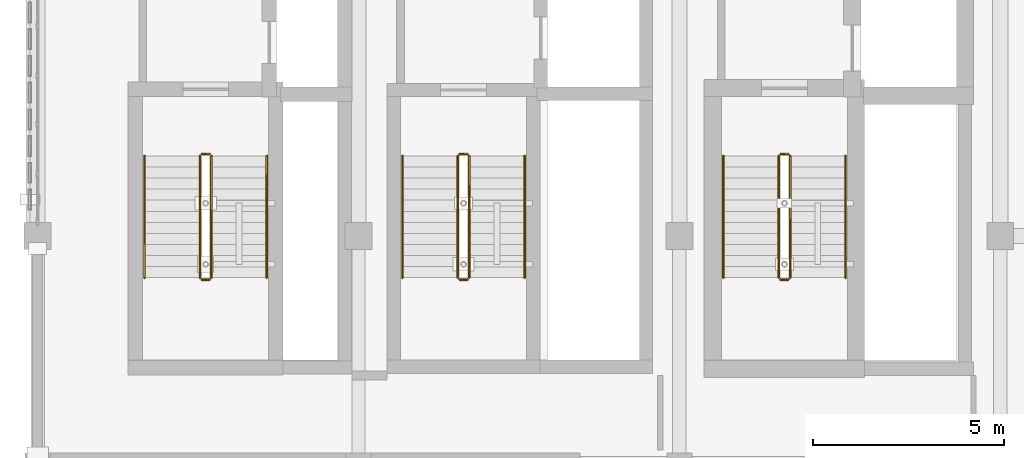
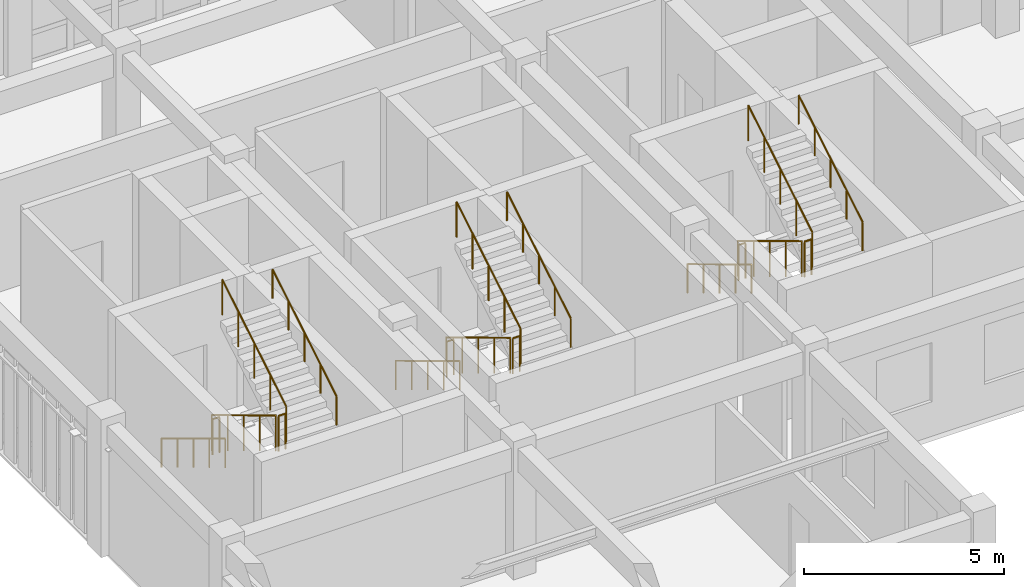
# One storey, part 21 of 22: 18 railings.
"""IFC4 building model written with IfcOpenShell, lengths in metres."""

import ifcopenshell
import ifcopenshell.guid

model = None  # the IFC model being written
_history = None  # IfcOwnerHistory: only IFC2X3 demands one
_inside = {}  # id of a spatial element -> (the spatial element, [elements in it])
_under = {}  # id of a project, library or spatial element -> (it, [spatial elements below it])
_declared = {}  # id of a project -> (the project, [libraries it declares])
_typed = {}  # id of a type object -> (the type object, [elements of that type])
_made_of = {}  # id of a material, layer set ... -> (it, [elements and type objects made of it])


def new_model(schema):
    """Start an empty IFC model of exactly this schema.

    Asked for "IFC4X3", IfcOpenShell would pick the latest addendum, in which some entities
    have other attributes; the version numbers below select the first issue.
    IFC2X3 requires an IfcOwnerHistory on every rooted entity: one is made here for all.
    """
    global model, _history
    if schema == "IFC4X3":
        model = ifcopenshell.file(schema_version=(4, 3, 0, 0))
    else:
        model = ifcopenshell.file(schema=schema)
    _inside.clear()
    _under.clear()
    _declared.clear()
    _typed.clear()
    _made_of.clear()
    _history = None
    if model.schema == "IFC2X3":
        org = make("IfcOrganization", Name="unknown")
        user = make(
            "IfcPersonAndOrganization",
            ThePerson=make("IfcPerson", FamilyName="unknown"),
            TheOrganization=org,
        )
        app = make(
            "IfcApplication",
            ApplicationDeveloper=org,
            Version="unknown",
            ApplicationFullName="unknown",
            ApplicationIdentifier="unknown",
        )
        _history = make(
            "IfcOwnerHistory",
            OwningUser=user,
            OwningApplication=app,
            ChangeAction="ADDED",
            CreationDate=0,
        )
    return model


def make(cls, **values):
    """One entity of the class cls with the attributes given. An attribute that is None is left unset."""
    return model.create_entity(
        cls, **{name: value for name, value in values.items() if value is not None}
    )


def rooted(cls, **values):
    """An entity with a GlobalId (a new one), such as an element, a storey or a relation."""
    return make(cls, GlobalId=ifcopenshell.guid.new(), OwnerHistory=_history, **values)


def si_unit(unit_type, name, prefix=None):
    """IfcSIUnit, for example si_unit("LENGTHUNIT", "METRE", prefix="MILLI")."""
    return make("IfcSIUnit", UnitType=unit_type, Prefix=prefix, Name=name)


def assignment(units):
    """IfcUnitAssignment: the units of a project."""
    return None if units is None else make("IfcUnitAssignment", Units=units)


def point(xyz):
    """IfcCartesianPoint."""
    return None if xyz is None else make("IfcCartesianPoint", Coordinates=xyz)


def direction(xyz):
    """IfcDirection."""
    return None if xyz is None else make("IfcDirection", DirectionRatios=xyz)


def frame(location, z_axis=None, x_axis=None):
    """IfcAxis2Placement3D, a coordinate frame: its origin and axes. An axis left out is left unset."""
    return make(
        "IfcAxis2Placement3D",
        Location=point(location),
        Axis=direction(z_axis),
        RefDirection=direction(x_axis),
    )


def frame_2d(location, x_axis=None):
    """IfcAxis2Placement2D, a coordinate frame in the plane: its origin and x axis."""
    return make(
        "IfcAxis2Placement2D", Location=point(location), RefDirection=direction(x_axis)
    )


def origin():
    """The frame at (0, 0, 0) with its axes left unset."""
    return frame((0.0, 0.0, 0.0))


def origin_2d():
    """The frame at (0, 0) in the plane with its x axis left unset."""
    return frame_2d((0.0, 0.0))


def place(relative_to, where):
    """IfcLocalPlacement: puts the frame where relative to a parent placement (None: the world)."""
    return make(
        "IfcLocalPlacement", PlacementRelTo=relative_to, RelativePlacement=where
    )


def context(
    kind, dimensions, precision=None, world=None, true_north=None, identifier=None
):
    """IfcGeometricRepresentationContext, for example the 3D "Model" context."""
    return make(
        "IfcGeometricRepresentationContext",
        ContextIdentifier=identifier,
        ContextType=kind,
        CoordinateSpaceDimension=dimensions,
        Precision=precision,
        WorldCoordinateSystem=world,
        TrueNorth=true_north,
    )


def subcontext(parent, identifier, kind, view, scale=None):
    """IfcGeometricRepresentationSubContext, for example "Body" below "Model"."""
    return make(
        "IfcGeometricRepresentationSubContext",
        ContextIdentifier=identifier,
        ContextType=kind,
        ParentContext=parent,
        TargetScale=scale,
        TargetView=view,
    )


def project(units=None, contexts=None):
    """IfcProject with its units and contexts."""
    return rooted(
        "IfcProject",
        Name="project",
        RepresentationContexts=contexts,
        UnitsInContext=assignment(units),
    )


def spatial(cls, under=None, at=None, **own):
    """A site, building, storey or space (cls), placed at a placement, below another one or the project."""
    s = rooted(cls, ObjectPlacement=at, **own)
    if under is not None:
        _under.setdefault(under.id(), (under, []))[1].append(s)
    return s


def profile(cls, at=None, kind="AREA", **sizes):
    """A parametric profile (cls). Its sizes go by their IFC names, for example OverallWidth=200.0."""
    return make(cls, ProfileType=kind, Position=at, **sizes)


def circle(**sizes):
    """IfcCircleProfileDef."""
    return profile("IfcCircleProfileDef", **sizes)


def extrude(swept, where, along, depth):
    """IfcExtrudedAreaSolid: the profile swept, set in the frame where, extruded along a direction by depth."""
    return make(
        "IfcExtrudedAreaSolid",
        SweptArea=swept,
        Position=where,
        ExtrudedDirection=direction(along),
        Depth=depth,
    )


def shape(context_of_items, identifier, shape_type, items):
    """IfcShapeRepresentation: the items that make up one representation, for example the "Body"."""
    return make(
        "IfcShapeRepresentation",
        ContextOfItems=context_of_items,
        RepresentationIdentifier=identifier,
        RepresentationType=shape_type,
        Items=items,
    )


def material(Name=None, Category=None):
    """IfcMaterial."""
    return make("IfcMaterial", Name=Name, Category=Category)


def made_of(thing, what):
    """Note that an element or type object is made of a material, layer set ...; save() writes the relation."""
    if what is not None:
        _made_of.setdefault(what.id(), (what, []))[1].append(thing)
    return thing


def type_object(cls, material=None, **own):
    """A type object (cls), such as IfcWallType, which elements share."""
    return made_of(rooted(cls, **own), material)


def element(
    cls,
    number,
    at=None,
    inside=None,
    cuts=None,
    type_object=None,
    material=None,
    context=None,
    identifier="Body",
    shape_type=None,
    held_by="IfcProductDefinitionShape",
    body=None,
    shapes=None,
    **own,
):
    """One element of the class cls, such as IfcWall. Its Tag is "e" and its number.

    at: its placement. inside: the storey or other place that contains it. cuts: it is an
    opening in that element (IfcRelVoidsElement). A single representation is given by context,
    identifier, shape_type and body (its items); several are given by shapes. held_by: the class
    of the entity that holds the representations. save() writes the other relations.
    """
    e = rooted(cls, Tag="e%d" % number, ObjectPlacement=at, **own)
    if body is not None:
        shapes = [shape(context, identifier, shape_type, body)]
    if shapes is not None:
        e.Representation = make(held_by, Representations=shapes)
    if inside is not None:
        _inside.setdefault(inside.id(), (inside, []))[1].append(e)
    if cuts is not None:
        rooted(
            "IfcRelVoidsElement", RelatingBuildingElement=cuts, RelatedOpeningElement=e
        )
    if type_object is not None:
        _typed.setdefault(type_object.id(), (type_object, []))[1].append(e)
    return made_of(e, material)


def aggregate(whole, parts):
    """IfcRelAggregates: a whole, such as a stair, and the parts it consists of."""
    return rooted("IfcRelAggregates", RelatingObject=whole, RelatedObjects=parts)


def save(model, path):
    """Write the relations noted so far, then the file.

    IfcRelAggregates (storeys below a building ...), IfcRelContainedInSpatialStructure (elements
    in a storey), IfcRelDefinesByType, IfcRelAssociatesMaterial and IfcRelDeclares: one each for
    every whole, place, type object, material and project.
    """
    for whole, parts in _under.values():
        aggregate(whole, parts)
    for where, things in _inside.values():
        rooted(
            "IfcRelContainedInSpatialStructure",
            RelatedElements=things,
            RelatingStructure=where,
        )
    for kind, things in _typed.values():
        rooted("IfcRelDefinesByType", RelatedObjects=things, RelatingType=kind)
    for what, things in _made_of.values():
        rooted("IfcRelAssociatesMaterial", RelatedObjects=things, RelatingMaterial=what)
    for by, libraries in _declared.values():
        rooted("IfcRelDeclares", RelatingContext=by, RelatedDefinitions=libraries)
    model.write(path)


model = new_model("IFC4")

# Units and contexts
model_context = context("Model", 3, precision=1e-05, world=origin(), true_north=direction((0.0, 1.0)))
body_context = subcontext(model_context, "Body", "Model", "MODEL_VIEW")
ifc_project = project(units=[si_unit("LENGTHUNIT", "METRE"), si_unit("AREAUNIT", "SQUARE_METRE"), si_unit("VOLUMEUNIT", "CUBIC_METRE"), si_unit("PLANEANGLEUNIT", "RADIAN"), si_unit("MASSUNIT", "GRAM", prefix="KILO")], contexts=[model_context])

# Site, building, storey
site_placement = place(None, origin())
site = spatial("IfcSite", under=ifc_project, at=site_placement, CompositionType="ELEMENT")
building_placement = place(site_placement, origin())
building = spatial("IfcBuilding", under=site, at=building_placement, Name="Krzemoval Escarpment Law Courts", CompositionType="ELEMENT")
storey_placement = place(building_placement, frame((0.0, 0.0, 29.39990234375)))
storey = spatial("IfcBuildingStorey", under=building, at=storey_placement, Name="L06", CompositionType="ELEMENT", Elevation=29.39990234375)

# Railings
ifc_material_1 = material(Name="Galvanised Steel S355", Category="steel")
railing_type_1 = type_object("IfcRailingType", Name="RL-GRD-1100", PredefinedType="GUARDRAIL", material=ifc_material_1)
railing_1_placement = place(storey_placement, frame((130.25, 101.699951171875, 0.175048828125)))
element("IfcRailing", 1, at=railing_1_placement, inside=storey, type_object=railing_type_1, Name="L06 ST1 stair guard 1", PredefinedType="GUARDRAIL", context=body_context, shape_type="SweptSolid", body=[
    extrude(circle(Radius=0.02392578125, at=origin_2d()), frame((0.0, 0.0, 1.076171875), z_axis=(0.0, -0.856177665481, 0.516681531633), x_axis=(1.0, 0.0, 0.0)), (0.0, 0.0, 1.0), 3.725830078125),
    extrude(circle(Radius=0.02099609375, at=origin_2d()), origin(), (0.0, 0.0, 1.0), 1.052001953125),
    extrude(circle(Radius=0.02099609375, at=origin_2d()), frame((0.0, -0.79736328125, 0.481201171875)), (0.0, 0.0, 1.0), 1.052001953125),
    extrude(circle(Radius=0.02099609375, at=origin_2d()), frame((0.0, -1.594970703125, 0.96240234375)), (0.0, 0.0, 1.0), 1.052001953125),
    extrude(circle(Radius=0.02099609375, at=origin_2d()), frame((0.0, -2.392578125, 1.44384765625)), (0.0, 0.0, 1.0), 1.052001953125),
    extrude(circle(Radius=0.02099609375, at=origin_2d()), frame((0.0, -3.18994140625, 1.925048828125)), (0.0, 0.0, 1.0), 1.052001953125),
])
railing_2_placement = place(storey_placement, frame((130.300048828125, 98.4599609375, 2.10009765625)))
element("IfcRailing", 2, at=railing_2_placement, inside=storey, type_object=railing_type_1, Name="L06 ST1 stair guard 2", PredefinedType="GUARDRAIL", context=body_context, shape_type="SweptSolid", body=[
    extrude(circle(Radius=0.02392578125, at=origin_2d()), frame((0.0, 0.0, 1.076171875), z_axis=(1.0, 0.0, 0.0), x_axis=(0.0, 1.0, 0.0)), (0.0, 0.0, 1.0), 0.199951171875),
    extrude(circle(Radius=0.02099609375, at=origin_2d()), origin(), (0.0, 0.0, 1.0), 1.052001953125),
    extrude(circle(Radius=0.02099609375, at=origin_2d()), frame((0.199951171875, 0.0, 0.0)), (0.0, 0.0, 1.0), 1.052001953125),
])
railing_3_placement = place(storey_placement, frame((130.550048828125, 98.510009765625, 2.275146484375)))
element("IfcRailing", 3, at=railing_3_placement, inside=storey, type_object=railing_type_1, Name="L06 ST1 stair guard 3", PredefinedType="GUARDRAIL", context=body_context, shape_type="SweptSolid", body=[
    extrude(circle(Radius=0.02392578125, at=origin_2d()), frame((0.0, 0.0, 1.076171875), z_axis=(0.0, 0.856177665481, 0.516681531633), x_axis=(-1.0, 0.0, 0.0)), (0.0, 0.0, 1.0), 3.725830078125),
    extrude(circle(Radius=0.02099609375, at=origin_2d()), origin(), (0.0, 0.0, 1.0), 1.052001953125),
    extrude(circle(Radius=0.02099609375, at=origin_2d()), frame((0.0, 0.79736328125, 0.481201171875)), (0.0, 0.0, 1.0), 1.052001953125),
    extrude(circle(Radius=0.02099609375, at=origin_2d()), frame((0.0, 1.594970703125, 0.96240234375)), (0.0, 0.0, 1.0), 1.052001953125),
    extrude(circle(Radius=0.02099609375, at=origin_2d()), frame((0.0, 2.392578125, 1.44384765625)), (0.0, 0.0, 1.0), 1.052001953125),
    extrude(circle(Radius=0.02099609375, at=origin_2d()), frame((0.0, 3.18994140625, 1.925048828125)), (0.0, 0.0, 1.0), 1.052001953125),
])
railing_4_placement = place(storey_placement, frame((130.300048828125, 101.75, 0.0)))
element("IfcRailing", 4, at=railing_4_placement, inside=storey, type_object=railing_type_1, Name="L06 ST1 stair guard 4", PredefinedType="GUARDRAIL", context=body_context, shape_type="SweptSolid", body=[
    extrude(circle(Radius=0.02392578125, at=origin_2d()), frame((0.0, 0.0, 1.076171875), z_axis=(1.0, 0.0, 0.0), x_axis=(0.0, 1.0, 0.0)), (0.0, 0.0, 1.0), 0.199951171875),
    extrude(circle(Radius=0.02099609375, at=origin_2d()), origin(), (0.0, 0.0, 1.0), 1.052001953125),
    extrude(circle(Radius=0.02099609375, at=origin_2d()), frame((0.199951171875, 0.0, 0.0)), (0.0, 0.0, 1.0), 1.052001953125),
])
railing_5_placement = place(storey_placement, frame((137.0, 101.699951171875, 0.175048828125)))
element("IfcRailing", 5, at=railing_5_placement, inside=storey, type_object=railing_type_1, Name="L06 ST2 stair guard 1", PredefinedType="GUARDRAIL", context=body_context, shape_type="SweptSolid", body=[
    extrude(circle(Radius=0.02392578125, at=origin_2d()), frame((0.0, 0.0, 1.076171875), z_axis=(0.0, -0.856177665481, 0.516681531633), x_axis=(1.0, 0.0, 0.0)), (0.0, 0.0, 1.0), 3.725830078125),
    extrude(circle(Radius=0.02099609375, at=origin_2d()), origin(), (0.0, 0.0, 1.0), 1.052001953125),
    extrude(circle(Radius=0.02099609375, at=origin_2d()), frame((0.0, -0.79736328125, 0.481201171875)), (0.0, 0.0, 1.0), 1.052001953125),
    extrude(circle(Radius=0.02099609375, at=origin_2d()), frame((0.0, -1.594970703125, 0.96240234375)), (0.0, 0.0, 1.0), 1.052001953125),
    extrude(circle(Radius=0.02099609375, at=origin_2d()), frame((0.0, -2.392578125, 1.44384765625)), (0.0, 0.0, 1.0), 1.052001953125),
    extrude(circle(Radius=0.02099609375, at=origin_2d()), frame((0.0, -3.18994140625, 1.925048828125)), (0.0, 0.0, 1.0), 1.052001953125),
])
railing_6_placement = place(storey_placement, frame((137.050048828125, 98.4599609375, 2.10009765625)))
element("IfcRailing", 6, at=railing_6_placement, inside=storey, type_object=railing_type_1, Name="L06 ST2 stair guard 2", PredefinedType="GUARDRAIL", context=body_context, shape_type="SweptSolid", body=[
    extrude(circle(Radius=0.02392578125, at=origin_2d()), frame((0.0, 0.0, 1.076171875), z_axis=(1.0, 0.0, 0.0), x_axis=(0.0, 1.0, 0.0)), (0.0, 0.0, 1.0), 0.199951171875),
    extrude(circle(Radius=0.02099609375, at=origin_2d()), origin(), (0.0, 0.0, 1.0), 1.052001953125),
    extrude(circle(Radius=0.02099609375, at=origin_2d()), frame((0.199951171875, 0.0, 0.0)), (0.0, 0.0, 1.0), 1.052001953125),
])
railing_7_placement = place(storey_placement, frame((137.300048828125, 98.510009765625, 2.275146484375)))
element("IfcRailing", 7, at=railing_7_placement, inside=storey, type_object=railing_type_1, Name="L06 ST2 stair guard 3", PredefinedType="GUARDRAIL", context=body_context, shape_type="SweptSolid", body=[
    extrude(circle(Radius=0.02392578125, at=origin_2d()), frame((0.0, 0.0, 1.076171875), z_axis=(0.0, 0.856177665481, 0.516681531633), x_axis=(-1.0, 0.0, 0.0)), (0.0, 0.0, 1.0), 3.725830078125),
    extrude(circle(Radius=0.02099609375, at=origin_2d()), origin(), (0.0, 0.0, 1.0), 1.052001953125),
    extrude(circle(Radius=0.02099609375, at=origin_2d()), frame((0.0, 0.79736328125, 0.481201171875)), (0.0, 0.0, 1.0), 1.052001953125),
    extrude(circle(Radius=0.02099609375, at=origin_2d()), frame((0.0, 1.594970703125, 0.96240234375)), (0.0, 0.0, 1.0), 1.052001953125),
    extrude(circle(Radius=0.02099609375, at=origin_2d()), frame((0.0, 2.392578125, 1.44384765625)), (0.0, 0.0, 1.0), 1.052001953125),
    extrude(circle(Radius=0.02099609375, at=origin_2d()), frame((0.0, 3.18994140625, 1.925048828125)), (0.0, 0.0, 1.0), 1.052001953125),
])
railing_8_placement = place(storey_placement, frame((137.050048828125, 101.75, 0.0)))
element("IfcRailing", 8, at=railing_8_placement, inside=storey, type_object=railing_type_1, Name="L06 ST2 stair guard 4", PredefinedType="GUARDRAIL", context=body_context, shape_type="SweptSolid", body=[
    extrude(circle(Radius=0.02392578125, at=origin_2d()), frame((0.0, 0.0, 1.076171875), z_axis=(1.0, 0.0, 0.0), x_axis=(0.0, 1.0, 0.0)), (0.0, 0.0, 1.0), 0.199951171875),
    extrude(circle(Radius=0.02099609375, at=origin_2d()), origin(), (0.0, 0.0, 1.0), 1.052001953125),
    extrude(circle(Radius=0.02099609375, at=origin_2d()), frame((0.199951171875, 0.0, 0.0)), (0.0, 0.0, 1.0), 1.052001953125),
])
railing_9_placement = place(storey_placement, frame((145.39990234375, 101.699951171875, 0.175048828125)))
element("IfcRailing", 9, at=railing_9_placement, inside=storey, type_object=railing_type_1, Name="L06 ST3 stair guard 1", PredefinedType="GUARDRAIL", context=body_context, shape_type="SweptSolid", body=[
    extrude(circle(Radius=0.02392578125, at=origin_2d()), frame((0.0, 0.0, 1.076171875), z_axis=(0.0, -0.856177665481, 0.516681531633), x_axis=(1.0, 0.0, 0.0)), (0.0, 0.0, 1.0), 3.725830078125),
    extrude(circle(Radius=0.02099609375, at=origin_2d()), origin(), (0.0, 0.0, 1.0), 1.052001953125),
    extrude(circle(Radius=0.02099609375, at=origin_2d()), frame((0.0, -0.79736328125, 0.481201171875)), (0.0, 0.0, 1.0), 1.052001953125),
    extrude(circle(Radius=0.02099609375, at=origin_2d()), frame((0.0, -1.594970703125, 0.96240234375)), (0.0, 0.0, 1.0), 1.052001953125),
    extrude(circle(Radius=0.02099609375, at=origin_2d()), frame((0.0, -2.392578125, 1.44384765625)), (0.0, 0.0, 1.0), 1.052001953125),
    extrude(circle(Radius=0.02099609375, at=origin_2d()), frame((0.0, -3.18994140625, 1.925048828125)), (0.0, 0.0, 1.0), 1.052001953125),
])
railing_10_placement = place(storey_placement, frame((145.449951171875, 98.4599609375, 2.10009765625)))
element("IfcRailing", 10, at=railing_10_placement, inside=storey, type_object=railing_type_1, Name="L06 ST3 stair guard 2", PredefinedType="GUARDRAIL", context=body_context, shape_type="SweptSolid", body=[
    extrude(circle(Radius=0.02392578125, at=origin_2d()), frame((0.0, 0.0, 1.076171875), z_axis=(1.0, 0.0, 0.0), x_axis=(0.0, 1.0, 0.0)), (0.0, 0.0, 1.0), 0.199951171875),
    extrude(circle(Radius=0.02099609375, at=origin_2d()), origin(), (0.0, 0.0, 1.0), 1.052001953125),
    extrude(circle(Radius=0.02099609375, at=origin_2d()), frame((0.199951171875, 0.0, 0.0)), (0.0, 0.0, 1.0), 1.052001953125),
])
railing_11_placement = place(storey_placement, frame((145.699951171875, 98.510009765625, 2.275146484375)))
element("IfcRailing", 11, at=railing_11_placement, inside=storey, type_object=railing_type_1, Name="L06 ST3 stair guard 3", PredefinedType="GUARDRAIL", context=body_context, shape_type="SweptSolid", body=[
    extrude(circle(Radius=0.02392578125, at=origin_2d()), frame((0.0, 0.0, 1.076171875), z_axis=(0.0, 0.856177665481, 0.516681531633), x_axis=(-1.0, 0.0, 0.0)), (0.0, 0.0, 1.0), 3.725830078125),
    extrude(circle(Radius=0.02099609375, at=origin_2d()), origin(), (0.0, 0.0, 1.0), 1.052001953125),
    extrude(circle(Radius=0.02099609375, at=origin_2d()), frame((0.0, 0.79736328125, 0.481201171875)), (0.0, 0.0, 1.0), 1.052001953125),
    extrude(circle(Radius=0.02099609375, at=origin_2d()), frame((0.0, 1.594970703125, 0.96240234375)), (0.0, 0.0, 1.0), 1.052001953125),
    extrude(circle(Radius=0.02099609375, at=origin_2d()), frame((0.0, 2.392578125, 1.44384765625)), (0.0, 0.0, 1.0), 1.052001953125),
    extrude(circle(Radius=0.02099609375, at=origin_2d()), frame((0.0, 3.18994140625, 1.925048828125)), (0.0, 0.0, 1.0), 1.052001953125),
])
railing_12_placement = place(storey_placement, frame((145.449951171875, 101.75, 0.0)))
element("IfcRailing", 12, at=railing_12_placement, inside=storey, type_object=railing_type_1, Name="L06 ST3 stair guard 4", PredefinedType="GUARDRAIL", context=body_context, shape_type="SweptSolid", body=[
    extrude(circle(Radius=0.02392578125, at=origin_2d()), frame((0.0, 0.0, 1.076171875), z_axis=(1.0, 0.0, 0.0), x_axis=(0.0, 1.0, 0.0)), (0.0, 0.0, 1.0), 0.199951171875),
    extrude(circle(Radius=0.02099609375, at=origin_2d()), origin(), (0.0, 0.0, 1.0), 1.052001953125),
    extrude(circle(Radius=0.02099609375, at=origin_2d()), frame((0.199951171875, 0.0, 0.0)), (0.0, 0.0, 1.0), 1.052001953125),
])
ifc_material_2 = material(Name="Brushed Stainless Steel Grade 304 Handrail", Category="steel")
railing_type_2 = type_object("IfcRailingType", Name="RL-HND-900", PredefinedType="HANDRAIL", material=ifc_material_2)
railing_13_placement = place(storey_placement, frame((128.800048828125, 101.699951171875, 0.175048828125)))
element("IfcRailing", 13, at=railing_13_placement, inside=storey, type_object=railing_type_2, Name="L06 ST1 stair handrail 1", PredefinedType="HANDRAIL", context=body_context, shape_type="SweptSolid", body=[
    extrude(circle(Radius=0.02392578125, at=origin_2d()), frame((0.0, 0.0, 0.8759765625), z_axis=(0.0, -0.856177665481, 0.516681531633), x_axis=(1.0, 0.0, 0.0)), (0.0, 0.0, 1.0), 3.725830078125),
    extrude(circle(Radius=0.02099609375, at=origin_2d()), origin(), (0.0, 0.0, 1.0), 0.851806640625),
    extrude(circle(Radius=0.02099609375, at=origin_2d()), frame((0.0, -0.79736328125, 0.481201171875)), (0.0, 0.0, 1.0), 0.851806640625),
    extrude(circle(Radius=0.02099609375, at=origin_2d()), frame((0.0, -1.594970703125, 0.96240234375)), (0.0, 0.0, 1.0), 0.851806640625),
    extrude(circle(Radius=0.02099609375, at=origin_2d()), frame((0.0, -2.392578125, 1.44384765625)), (0.0, 0.0, 1.0), 0.851806640625),
    extrude(circle(Radius=0.02099609375, at=origin_2d()), frame((0.0, -3.18994140625, 1.925048828125)), (0.0, 0.0, 1.0), 0.851806640625),
])
railing_14_placement = place(storey_placement, frame((132.0, 98.510009765625, 2.275146484375)))
element("IfcRailing", 14, at=railing_14_placement, inside=storey, type_object=railing_type_2, Name="L06 ST1 stair handrail 2", PredefinedType="HANDRAIL", context=body_context, shape_type="SweptSolid", body=[
    extrude(circle(Radius=0.02392578125, at=origin_2d()), frame((0.0, 0.0, 0.8759765625), z_axis=(0.0, 0.856177665481, 0.516681531633), x_axis=(-1.0, 0.0, 0.0)), (0.0, 0.0, 1.0), 3.725830078125),
    extrude(circle(Radius=0.02099609375, at=origin_2d()), origin(), (0.0, 0.0, 1.0), 0.851806640625),
    extrude(circle(Radius=0.02099609375, at=origin_2d()), frame((0.0, 0.79736328125, 0.481201171875)), (0.0, 0.0, 1.0), 0.851806640625),
    extrude(circle(Radius=0.02099609375, at=origin_2d()), frame((0.0, 1.594970703125, 0.96240234375)), (0.0, 0.0, 1.0), 0.851806640625),
    extrude(circle(Radius=0.02099609375, at=origin_2d()), frame((0.0, 2.392578125, 1.44384765625)), (0.0, 0.0, 1.0), 0.851806640625),
    extrude(circle(Radius=0.02099609375, at=origin_2d()), frame((0.0, 3.18994140625, 1.925048828125)), (0.0, 0.0, 1.0), 0.851806640625),
])
railing_15_placement = place(storey_placement, frame((135.550048828125, 101.699951171875, 0.175048828125)))
element("IfcRailing", 15, at=railing_15_placement, inside=storey, type_object=railing_type_2, Name="L06 ST2 stair handrail 1", PredefinedType="HANDRAIL", context=body_context, shape_type="SweptSolid", body=[
    extrude(circle(Radius=0.02392578125, at=origin_2d()), frame((0.0, 0.0, 0.8759765625), z_axis=(0.0, -0.856177665481, 0.516681531633), x_axis=(1.0, 0.0, 0.0)), (0.0, 0.0, 1.0), 3.725830078125),
    extrude(circle(Radius=0.02099609375, at=origin_2d()), origin(), (0.0, 0.0, 1.0), 0.851806640625),
    extrude(circle(Radius=0.02099609375, at=origin_2d()), frame((0.0, -0.79736328125, 0.481201171875)), (0.0, 0.0, 1.0), 0.851806640625),
    extrude(circle(Radius=0.02099609375, at=origin_2d()), frame((0.0, -1.594970703125, 0.96240234375)), (0.0, 0.0, 1.0), 0.851806640625),
    extrude(circle(Radius=0.02099609375, at=origin_2d()), frame((0.0, -2.392578125, 1.44384765625)), (0.0, 0.0, 1.0), 0.851806640625),
    extrude(circle(Radius=0.02099609375, at=origin_2d()), frame((0.0, -3.18994140625, 1.925048828125)), (0.0, 0.0, 1.0), 0.851806640625),
])
railing_16_placement = place(storey_placement, frame((138.75, 98.510009765625, 2.275146484375)))
element("IfcRailing", 16, at=railing_16_placement, inside=storey, type_object=railing_type_2, Name="L06 ST2 stair handrail 2", PredefinedType="HANDRAIL", context=body_context, shape_type="SweptSolid", body=[
    extrude(circle(Radius=0.02392578125, at=origin_2d()), frame((0.0, 0.0, 0.8759765625), z_axis=(0.0, 0.856177665481, 0.516681531633), x_axis=(-1.0, 0.0, 0.0)), (0.0, 0.0, 1.0), 3.725830078125),
    extrude(circle(Radius=0.02099609375, at=origin_2d()), origin(), (0.0, 0.0, 1.0), 0.851806640625),
    extrude(circle(Radius=0.02099609375, at=origin_2d()), frame((0.0, 0.79736328125, 0.481201171875)), (0.0, 0.0, 1.0), 0.851806640625),
    extrude(circle(Radius=0.02099609375, at=origin_2d()), frame((0.0, 1.594970703125, 0.96240234375)), (0.0, 0.0, 1.0), 0.851806640625),
    extrude(circle(Radius=0.02099609375, at=origin_2d()), frame((0.0, 2.392578125, 1.44384765625)), (0.0, 0.0, 1.0), 0.851806640625),
    extrude(circle(Radius=0.02099609375, at=origin_2d()), frame((0.0, 3.18994140625, 1.925048828125)), (0.0, 0.0, 1.0), 0.851806640625),
])
railing_17_placement = place(storey_placement, frame((143.949951171875, 101.699951171875, 0.175048828125)))
element("IfcRailing", 17, at=railing_17_placement, inside=storey, type_object=railing_type_2, Name="L06 ST3 stair handrail 1", PredefinedType="HANDRAIL", context=body_context, shape_type="SweptSolid", body=[
    extrude(circle(Radius=0.02392578125, at=origin_2d()), frame((0.0, 0.0, 0.8759765625), z_axis=(0.0, -0.856177665481, 0.516681531633), x_axis=(1.0, 0.0, 0.0)), (0.0, 0.0, 1.0), 3.725830078125),
    extrude(circle(Radius=0.02099609375, at=origin_2d()), origin(), (0.0, 0.0, 1.0), 0.851806640625),
    extrude(circle(Radius=0.02099609375, at=origin_2d()), frame((0.0, -0.79736328125, 0.481201171875)), (0.0, 0.0, 1.0), 0.851806640625),
    extrude(circle(Radius=0.02099609375, at=origin_2d()), frame((0.0, -1.594970703125, 0.96240234375)), (0.0, 0.0, 1.0), 0.851806640625),
    extrude(circle(Radius=0.02099609375, at=origin_2d()), frame((0.0, -2.392578125, 1.44384765625)), (0.0, 0.0, 1.0), 0.851806640625),
    extrude(circle(Radius=0.02099609375, at=origin_2d()), frame((0.0, -3.18994140625, 1.925048828125)), (0.0, 0.0, 1.0), 0.851806640625),
])
railing_18_placement = place(storey_placement, frame((147.14990234375, 98.510009765625, 2.275146484375)))
element("IfcRailing", 18, at=railing_18_placement, inside=storey, type_object=railing_type_2, Name="L06 ST3 stair handrail 2", PredefinedType="HANDRAIL", context=body_context, shape_type="SweptSolid", body=[
    extrude(circle(Radius=0.02392578125, at=origin_2d()), frame((0.0, 0.0, 0.8759765625), z_axis=(0.0, 0.856177665481, 0.516681531633), x_axis=(-1.0, 0.0, 0.0)), (0.0, 0.0, 1.0), 3.725830078125),
    extrude(circle(Radius=0.02099609375, at=origin_2d()), origin(), (0.0, 0.0, 1.0), 0.851806640625),
    extrude(circle(Radius=0.02099609375, at=origin_2d()), frame((0.0, 0.79736328125, 0.481201171875)), (0.0, 0.0, 1.0), 0.851806640625),
    extrude(circle(Radius=0.02099609375, at=origin_2d()), frame((0.0, 1.594970703125, 0.96240234375)), (0.0, 0.0, 1.0), 0.851806640625),
    extrude(circle(Radius=0.02099609375, at=origin_2d()), frame((0.0, 2.392578125, 1.44384765625)), (0.0, 0.0, 1.0), 0.851806640625),
    extrude(circle(Radius=0.02099609375, at=origin_2d()), frame((0.0, 3.18994140625, 1.925048828125)), (0.0, 0.0, 1.0), 0.851806640625),
])

save(model, "model.ifc")
